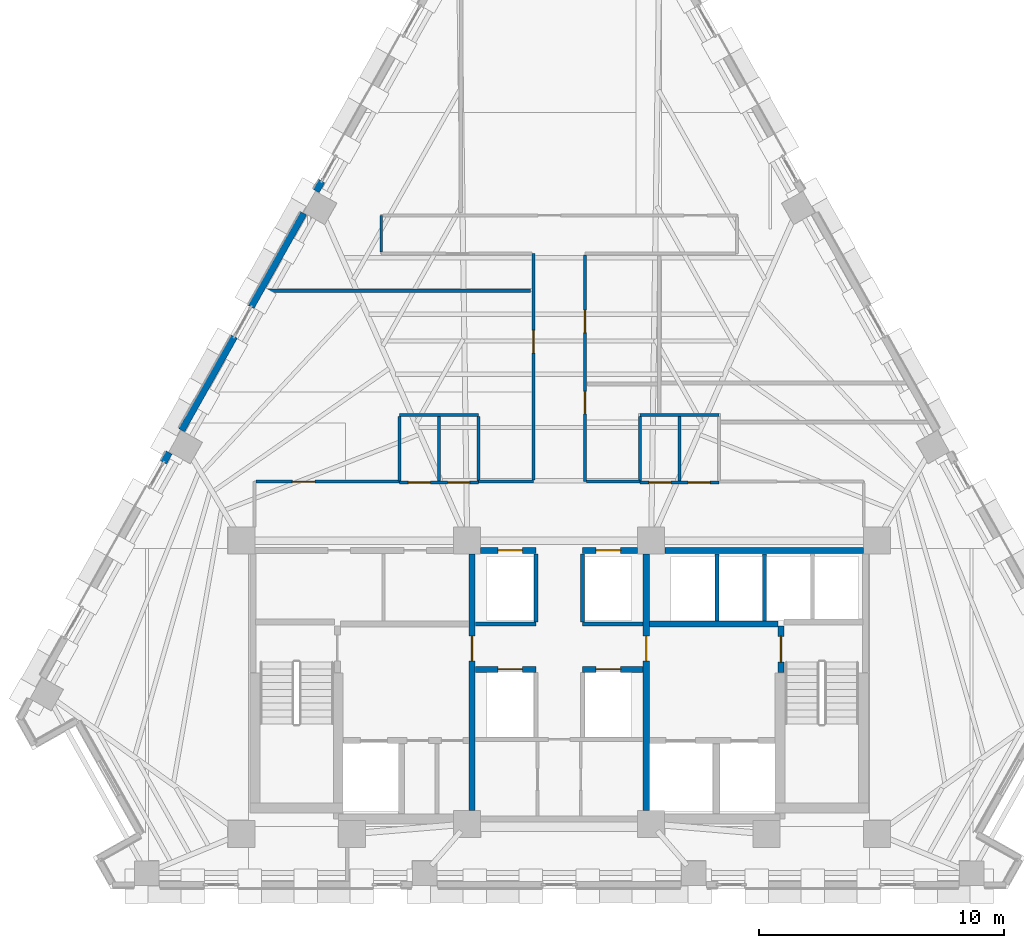
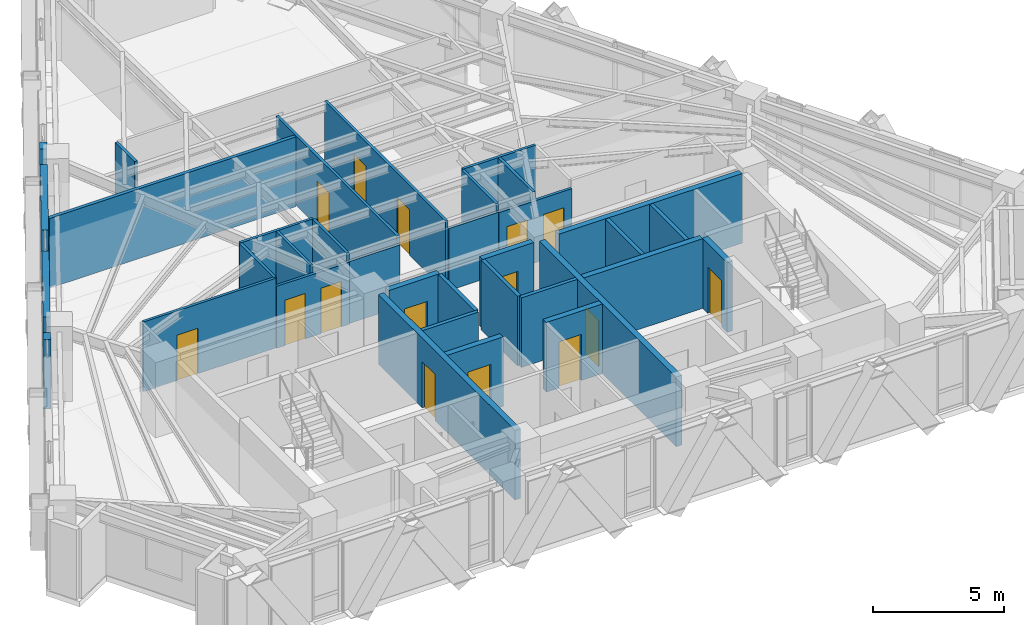
# One storey, part 8 of 14: 35 walls, 15 doors, 15 openings.
"""IFC4 building model written with IfcOpenShell, lengths in metres."""

from ifc_helpers import new_model, si_unit, direction, frame, frame_2d, origin, place, context, subcontext, project, spatial, rectangle, extrude, material, layer, layer_set, type_object, element, fill, save


model = new_model("IFC4")

# Units and contexts
model_context = context("Model", 3, precision=1e-05, world=origin(), true_north=direction((0.0, 1.0)))
body_context = subcontext(model_context, "Body", "Model", "MODEL_VIEW")
ifc_project = project(units=[si_unit("LENGTHUNIT", "METRE"), si_unit("AREAUNIT", "SQUARE_METRE"), si_unit("VOLUMEUNIT", "CUBIC_METRE"), si_unit("PLANEANGLEUNIT", "RADIAN"), si_unit("MASSUNIT", "GRAM", prefix="KILO")], contexts=[model_context])

# Site, building, storey
site_placement = place(None, origin())
site = spatial("IfcSite", under=ifc_project, at=site_placement, CompositionType="ELEMENT")
building_placement = place(site_placement, origin())
building = spatial("IfcBuilding", under=site, at=building_placement, Name="Quenlor Broadcast Tower", CompositionType="ELEMENT")
storey_placement = place(building_placement, frame((0.0, 0.0, 168.5)))
storey = spatial("IfcBuildingStorey", under=building, at=storey_placement, Name="L46", CompositionType="ELEMENT", Elevation=168.5)

# Wall
ifc_material_1 = material(Name="Acoustic Double Stud Gypsum Partition", Category="other")
ifc_layer_1 = layer(ifc_material_1, 0.14990234375)
ifc_layer_set_1 = layer_set([ifc_layer_1], Name="Broadcast Studio Acoustic Partition 150")
wall_type_1 = type_object("IfcWallType", Name="Broadcast Studio Acoustic Partition 150", PredefinedType="PARTITIONING", material=ifc_layer_set_1)
wall_1_placement = place(storey_placement, frame((-1.159912109375, 5.3798828125, 0.0), z_axis=(0.0, 0.0, 1.0), x_axis=(-1.0, 0.0, 0.0)))
element("IfcWall", 1, at=wall_1_placement, inside=storey, type_object=wall_type_1, Name="L46 Interior Wall PW-DV-02", PredefinedType="PARTITIONING", context=body_context, shape_type="SweptSolid", body=[
    extrude(rectangle(XDim=10.862548828125, YDim=0.14990234375, at=frame_2d((5.43115234375, 0.0))), origin(), (0.0, 0.0, 1.0), 3.25),
])

# Wall, opening, door
ifc_material_2 = material(Name="Concrete C40/50", Category="concrete")
ifc_layer_2 = layer(ifc_material_2, 0.25)
ifc_layer_set_2 = layer_set([ifc_layer_2], Name="Fire Rated Concrete C40/50 Core Wall 250")
wall_type_2 = type_object("IfcWallType", Name="Fire Rated Concrete C40/50 Core Wall 250", PredefinedType="PARTITIONING", material=ifc_layer_set_2)
wall_2_placement = place(storey_placement, frame((9.0400390625, -10.179931640625, 0.0), z_axis=(0.0, 0.0, 1.0), x_axis=(0.0, 1.0, 0.0)))
wall_2 = element("IfcWall", 2, at=wall_2_placement, inside=storey, type_object=wall_type_2, Name="L46 Interior Wall CW-ST2-DR", PredefinedType="PARTITIONING", context=body_context, shape_type="SweptSolid", body=[
    extrude(rectangle(XDim=1.89990234375, YDim=0.25, at=frame_2d((0.949951171875, 0.0))), origin(), (0.0, 0.0, 1.0), 3.25),
])
opening_1_placement = place(wall_2_placement, frame((0.419921875, 0.0, 0.0)))
opening_1 = element("IfcOpeningElement", 3, at=opening_1_placement, cuts=wall_2, Name="Opening FD-1", PredefinedType="OPENING", context=body_context, shape_type="SweptSolid", body=[
    extrude(rectangle(XDim=1.050048828125, YDim=2.14990234375, at=frame_2d((0.52490234375, 1.074951171875))), frame((0.0, 0.135009765625, 0.0), z_axis=(0.0, -1.0, 0.0), x_axis=(1.0, 0.0, 0.0)), (0.0, 0.0, 1.0), 0.27001953125),
])
ifc_material_3 = material(Name="Fire Rated Steel Door Leaf", Category="steel")
door_type_1 = type_object("IfcDoorType", Name="Fire Isolated Stair Door 1050x2150", OperationType="NOTDEFINED", PredefinedType="DOOR", material=ifc_material_3)
door_1_placement = place(opening_1_placement, origin())
door_1 = element("IfcDoor", 4, at=door_1_placement, inside=storey, type_object=door_type_1, Name="L46 Door DR-ST2", OperationType="SINGLE_SWING_RIGHT", OverallHeight=2.14990234375, OverallWidth=1.050048828125, PredefinedType="DOOR", context=body_context, shape_type="SweptSolid", body=[
    extrude(rectangle(XDim=1.050048828125, YDim=2.14990234375, at=frame_2d((0.52490234375, 1.074951171875))), frame((0.0, 0.02490234375, 0.0), z_axis=(0.0, -1.0, 0.0), x_axis=(1.0, 0.0, 0.0)), (0.0, 0.0, 1.0), 0.050048828125),
])
fill(opening_1, door_1)

# Wall
wall_3_placement = place(storey_placement, frame((3.679931640625, -8.199951171875, 0.0), z_axis=(0.0, 0.0, 1.0), x_axis=(1.0, 0.0, 0.0)))
element("IfcWall", 5, at=wall_3_placement, inside=storey, type_object=wall_type_2, Name="L46 Interior Wall CW-FFE-N", PredefinedType="PARTITIONING", context=body_context, shape_type="SweptSolid", body=[
    extrude(rectangle(XDim=5.239990234375, YDim=0.25, at=frame_2d((2.6201171875, 0.0))), origin(), (0.0, 0.0, 1.0), 3.25),
])

# Wall, opening, door
wall_4_placement = place(storey_placement, frame((-3.550048828125, -15.798095703125, 0.0), z_axis=(0.0, 0.0, 1.0), x_axis=(0.0, 1.0, 0.0)))
wall_4 = element("IfcWall", 6, at=wall_4_placement, inside=storey, type_object=wall_type_2, Name="L46 Interior Wall CW-FFW-E", PredefinedType="PARTITIONING", context=body_context, shape_type="SweptSolid", body=[
    extrude(rectangle(XDim=10.446044921875, YDim=0.25, at=frame_2d((5.22314453125, 0.0))), origin(), (0.0, 0.0, 1.0), 3.25),
])
opening_2_placement = place(wall_4_placement, frame((6.097900390625, 0.0, 0.0)))
opening_2 = element("IfcOpeningElement", 7, at=opening_2_placement, cuts=wall_4, Name="Opening FD-2", PredefinedType="OPENING", context=body_context, shape_type="SweptSolid", body=[
    extrude(rectangle(XDim=1.0, YDim=2.14990234375, at=frame_2d((0.5, 1.074951171875))), frame((0.0, 0.135009765625, 0.0), z_axis=(0.0, -1.0, 0.0), x_axis=(1.0, 0.0, 0.0)), (0.0, 0.0, 1.0), 0.27001953125),
])
ifc_material_4 = material(Name="Fire Rated Glazed Steel Door", Category="steel")
door_type_2 = type_object("IfcDoorType", Name="Firefighting Lobby Smoke Door 1000x2150", OperationType="NOTDEFINED", PredefinedType="DOOR", material=ifc_material_4)
door_2_placement = place(opening_2_placement, origin())
door_2 = element("IfcDoor", 8, at=door_2_placement, inside=storey, type_object=door_type_2, Name="L46 Door DR-FFLW", OperationType="SINGLE_SWING_RIGHT", OverallHeight=2.14990234375, OverallWidth=1.0, PredefinedType="DOOR", context=body_context, shape_type="SweptSolid", body=[
    extrude(rectangle(XDim=1.0, YDim=2.14990234375, at=frame_2d((0.5, 1.074951171875))), frame((0.0, 0.02490234375, 0.0), z_axis=(0.0, -1.0, 0.0), x_axis=(1.0, 0.0, 0.0)), (0.0, 0.0, 1.0), 0.050048828125),
])
fill(opening_2, door_2)

wall_5_placement = place(storey_placement, frame((3.550048828125, -15.798095703125, 0.0), z_axis=(0.0, 0.0, 1.0), x_axis=(0.0, 1.0, 0.0)))
wall_5 = element("IfcWall", 9, at=wall_5_placement, inside=storey, type_object=wall_type_2, Name="L46 Interior Wall CW-FFE-W", PredefinedType="PARTITIONING", context=body_context, shape_type="SweptSolid", body=[
    extrude(rectangle(XDim=10.446044921875, YDim=0.25, at=frame_2d((5.22314453125, 0.0))), origin(), (0.0, 0.0, 1.0), 3.25),
])
opening_3_placement = place(wall_5_placement, frame((6.097900390625, 0.0, 0.0)))
opening_3 = element("IfcOpeningElement", 10, at=opening_3_placement, cuts=wall_5, Name="Opening FD-2", PredefinedType="OPENING", context=body_context, shape_type="SweptSolid", body=[
    extrude(rectangle(XDim=1.0, YDim=2.14990234375, at=frame_2d((0.5, 1.074951171875))), frame((0.0, 0.135009765625, 0.0), z_axis=(0.0, -1.0, 0.0), x_axis=(1.0, 0.0, 0.0)), (0.0, 0.0, 1.0), 0.27001953125),
])
door_3_placement = place(opening_3_placement, origin())
door_3 = element("IfcDoor", 11, at=door_3_placement, inside=storey, type_object=door_type_2, Name="L46 Door DR-FFLE", OperationType="SINGLE_SWING_LEFT", OverallHeight=2.14990234375, OverallWidth=1.0, PredefinedType="DOOR", context=body_context, shape_type="SweptSolid", body=[
    extrude(rectangle(XDim=1.0, YDim=2.14990234375, at=frame_2d((0.5, 1.074951171875))), frame((0.0, 0.02490234375, 0.0), z_axis=(0.0, -1.0, 0.0), x_axis=(1.0, 0.0, 0.0)), (0.0, 0.0, 1.0), 0.050048828125),
])
fill(opening_3, door_3)

# Wall
wall_6_placement = place(storey_placement, frame((4.302001953125, -5.199951171875, 0.0), z_axis=(0.0, 0.0, 1.0), x_axis=(1.0, 0.0, 0.0)))
element("IfcWall", 12, at=wall_6_placement, inside=storey, type_object=wall_type_2, Name="L46 Interior Wall CW-N-E", PredefinedType="PARTITIONING", context=body_context, shape_type="SweptSolid", body=[
    extrude(rectangle(XDim=8.095947265625, YDim=0.25, at=frame_2d((4.0478515625, 0.0))), origin(), (0.0, 0.0, 1.0), 3.25),
])

# Wall, opening, door
wall_7_placement = place(storey_placement, frame((-3.197998046875, -5.199951171875, 0.0), z_axis=(0.0, 0.0, 1.0), x_axis=(1.0, 0.0, 0.0)))
wall_7 = element("IfcWall", 13, at=wall_7_placement, inside=storey, type_object=wall_type_2, Name="L46 Interior Wall CW-N-M1", PredefinedType="PARTITIONING", context=body_context, shape_type="SweptSolid", body=[
    extrude(rectangle(XDim=2.248046875, YDim=0.25, at=frame_2d((1.1240234375, 0.0))), origin(), (0.0, 0.0, 1.0), 3.25),
])
opening_4_placement = place(wall_7_placement, frame((0.697998046875, 0.0, 0.0)))
opening_4 = element("IfcOpeningElement", 14, at=opening_4_placement, cuts=wall_7, Name="Opening LD-PL-M1", PredefinedType="OPENING", context=body_context, shape_type="SweptSolid", body=[
    extrude(rectangle(XDim=1.0, YDim=2.14990234375, at=frame_2d((0.5, 1.074951171875))), frame((0.0, 0.135009765625, 0.0), z_axis=(0.0, -1.0, 0.0), x_axis=(1.0, 0.0, 0.0)), (0.0, 0.0, 1.0), 0.27001953125),
])
ifc_material_5 = material(Name="Brushed Stainless Steel", Category="steel")
door_type_3 = type_object("IfcDoorType", Name="Passenger Lift Sliding Landing Door 1000x2150", OperationType="NOTDEFINED", PredefinedType="DOOR", material=ifc_material_5)
door_4_placement = place(opening_4_placement, origin())
door_4 = element("IfcDoor", 15, at=door_4_placement, inside=storey, type_object=door_type_3, Name="L46 Door LD-PL-M1", OperationType="SLIDING_TO_LEFT", OverallHeight=2.14990234375, OverallWidth=1.0, PredefinedType="DOOR", context=body_context, shape_type="SweptSolid", body=[
    extrude(rectangle(XDim=1.0, YDim=2.14990234375, at=frame_2d((0.5, 1.074951171875))), frame((0.0, 0.02490234375, 0.0), z_axis=(0.0, -1.0, 0.0), x_axis=(1.0, 0.0, 0.0)), (0.0, 0.0, 1.0), 0.050048828125),
])
fill(opening_4, door_4)

wall_8_placement = place(storey_placement, frame((0.949951171875, -5.199951171875, 0.0), z_axis=(0.0, 0.0, 1.0), x_axis=(1.0, 0.0, 0.0)))
wall_8 = element("IfcWall", 16, at=wall_8_placement, inside=storey, type_object=wall_type_2, Name="L46 Interior Wall CW-N-M2", PredefinedType="PARTITIONING", context=body_context, shape_type="SweptSolid", body=[
    extrude(rectangle(XDim=2.248046875, YDim=0.25, at=frame_2d((1.1240234375, 0.0))), origin(), (0.0, 0.0, 1.0), 3.25),
])
opening_5_placement = place(wall_8_placement, frame((0.550048828125, 0.0, 0.0)))
opening_5 = element("IfcOpeningElement", 17, at=opening_5_placement, cuts=wall_8, Name="Opening LD-PL-M2", PredefinedType="OPENING", context=body_context, shape_type="SweptSolid", body=[
    extrude(rectangle(XDim=1.0, YDim=2.14990234375, at=frame_2d((0.5, 1.074951171875))), frame((0.0, 0.135009765625, 0.0), z_axis=(0.0, -1.0, 0.0), x_axis=(1.0, 0.0, 0.0)), (0.0, 0.0, 1.0), 0.27001953125),
])
door_5_placement = place(opening_5_placement, origin())
door_5 = element("IfcDoor", 18, at=door_5_placement, inside=storey, type_object=door_type_3, Name="L46 Door LD-PL-M2", OperationType="SLIDING_TO_RIGHT", OverallHeight=2.14990234375, OverallWidth=1.0, PredefinedType="DOOR", context=body_context, shape_type="SweptSolid", body=[
    extrude(rectangle(XDim=1.0, YDim=2.14990234375, at=frame_2d((0.5, 1.074951171875))), frame((0.0, 0.02490234375, 0.0), z_axis=(0.0, -1.0, 0.0), x_axis=(1.0, 0.0, 0.0)), (0.0, 0.0, 1.0), 0.050048828125),
])
fill(opening_5, door_5)

wall_9_placement = place(storey_placement, frame((-3.419921875, -10.050048828125, 0.0), z_axis=(0.0, 0.0, 1.0), x_axis=(1.0, 0.0, 0.0)))
wall_9 = element("IfcWall", 19, at=wall_9_placement, inside=storey, type_object=wall_type_2, Name="L46 Interior Wall CW-MS-N1", PredefinedType="PARTITIONING", context=body_context, shape_type="SweptSolid", body=[
    extrude(rectangle(XDim=2.469970703125, YDim=0.25, at=frame_2d((1.23486328125, 0.0))), origin(), (0.0, 0.0, 1.0), 3.25),
])
opening_6_placement = place(wall_9_placement, frame((0.919921875, 0.0, 0.0)))
opening_6 = element("IfcOpeningElement", 20, at=opening_6_placement, cuts=wall_9, Name="Opening LD-PL-M3", PredefinedType="OPENING", context=body_context, shape_type="SweptSolid", body=[
    extrude(rectangle(XDim=1.0, YDim=2.14990234375, at=frame_2d((0.5, 1.074951171875))), frame((0.0, 0.135009765625, 0.0), z_axis=(0.0, -1.0, 0.0), x_axis=(1.0, 0.0, 0.0)), (0.0, 0.0, 1.0), 0.27001953125),
])
door_6_placement = place(opening_6_placement, origin())
door_6 = element("IfcDoor", 21, at=door_6_placement, inside=storey, type_object=door_type_3, Name="L46 Door LD-PL-M3", OperationType="SLIDING_TO_LEFT", OverallHeight=2.14990234375, OverallWidth=1.0, PredefinedType="DOOR", context=body_context, shape_type="SweptSolid", body=[
    extrude(rectangle(XDim=1.0, YDim=2.14990234375, at=frame_2d((0.5, 1.074951171875))), frame((0.0, 0.02490234375, 0.0), z_axis=(0.0, -1.0, 0.0), x_axis=(1.0, 0.0, 0.0)), (0.0, 0.0, 1.0), 0.050048828125),
])
fill(opening_6, door_6)

wall_10_placement = place(storey_placement, frame((0.949951171875, -10.050048828125, 0.0), z_axis=(0.0, 0.0, 1.0), x_axis=(1.0, 0.0, 0.0)))
wall_10 = element("IfcWall", 22, at=wall_10_placement, inside=storey, type_object=wall_type_2, Name="L46 Interior Wall CW-MS-N2", PredefinedType="PARTITIONING", context=body_context, shape_type="SweptSolid", body=[
    extrude(rectangle(XDim=2.469970703125, YDim=0.25, at=frame_2d((1.23486328125, 0.0))), origin(), (0.0, 0.0, 1.0), 3.25),
])
opening_7_placement = place(wall_10_placement, frame((0.550048828125, 0.0, 0.0)))
opening_7 = element("IfcOpeningElement", 23, at=opening_7_placement, cuts=wall_10, Name="Opening LD-PL-M4", PredefinedType="OPENING", context=body_context, shape_type="SweptSolid", body=[
    extrude(rectangle(XDim=1.0, YDim=2.14990234375, at=frame_2d((0.5, 1.074951171875))), frame((0.0, 0.135009765625, 0.0), z_axis=(0.0, -1.0, 0.0), x_axis=(1.0, 0.0, 0.0)), (0.0, 0.0, 1.0), 0.27001953125),
])
door_7_placement = place(opening_7_placement, origin())
door_7 = element("IfcDoor", 24, at=door_7_placement, inside=storey, type_object=door_type_3, Name="L46 Door LD-PL-M4", OperationType="SLIDING_TO_RIGHT", OverallHeight=2.14990234375, OverallWidth=1.0, PredefinedType="DOOR", context=body_context, shape_type="SweptSolid", body=[
    extrude(rectangle(XDim=1.0, YDim=2.14990234375, at=frame_2d((0.5, 1.074951171875))), frame((0.0, 0.02490234375, 0.0), z_axis=(0.0, -1.0, 0.0), x_axis=(1.0, 0.0, 0.0)), (0.0, 0.0, 1.0), 0.050048828125),
])
fill(opening_7, door_7)

# Walls
ifc_material_6 = material(Name="Gypsum Fireboard Partition", Category="other")
ifc_layer_3 = layer(ifc_material_6, 0.159912109375)
ifc_layer_set_3 = layer_set([ifc_layer_3], Name="Fire Rated Shaft and Corridor Partition 160")
wall_type_3 = type_object("IfcWallType", Name="Fire Rated Shaft and Corridor Partition 160", PredefinedType="PARTITIONING", material=ifc_layer_set_3)
for number, where, z_axis, x_axis, name in (
    (25, (6.425048828125, -8.072998046875, 0.0), (0.0, 0.0, 1.0), (0.0, 1.0, 0.0), "L46 Interior Wall CW-PLH-D1"),
    (26, (8.375, -8.072998046875, 0.0), (0.0, 0.0, 1.0), (0.0, 1.0, 0.0), "L46 Interior Wall CW-PLH-D2"),
):
    element("IfcWall", number, at=place(storey_placement, frame(where, z_axis=z_axis, x_axis=x_axis)), inside=storey, type_object=wall_type_3, Name=name, PredefinedType="PARTITIONING", context=body_context, shape_type="SweptSolid", body=[
        extrude(rectangle(XDim=2.73291015625, YDim=0.159912109375, at=frame_2d((1.366455078125, 0.0))), origin(), (0.0, 0.0, 1.0), 3.25),
    ])
for number, where, z_axis, x_axis, name in (
    (27, (-0.949951171875, -8.1201171875, 0.0), (0.0, 0.0, 1.0), (0.0, 1.0, 0.0), "L46 Interior Wall CW-CCRP-W"),
    (28, (0.949951171875, -8.1201171875, 0.0), (0.0, 0.0, 1.0), (0.0, 1.0, 0.0), "L46 Interior Wall CW-CCRP-E"),
):
    element("IfcWall", number, at=place(storey_placement, frame(where, z_axis=z_axis, x_axis=x_axis)), inside=storey, type_object=wall_type_3, Name=name, PredefinedType="PARTITIONING", context=body_context, shape_type="SweptSolid", body=[
        extrude(rectangle(XDim=2.780029296875, YDim=0.159912109375, at=frame_2d((1.39013671875, 0.0))), origin(), (0.0, 0.0, 1.0), 3.25),
    ])
for number, where, z_axis, x_axis, name in (
    (29, (-3.419921875, -8.199951171875, 0.0), (0.0, 0.0, 1.0), (1.0, 0.0, 0.0), "L46 Interior Wall CW-M-BACK1"),
    (30, (0.949951171875, -8.199951171875, 0.0), (0.0, 0.0, 1.0), (1.0, 0.0, 0.0), "L46 Interior Wall CW-M-BACK2"),
):
    element("IfcWall", number, at=place(storey_placement, frame(where, z_axis=z_axis, x_axis=x_axis)), inside=storey, type_object=wall_type_3, Name=name, PredefinedType="PARTITIONING", context=body_context, shape_type="SweptSolid", body=[
        extrude(rectangle(XDim=2.469970703125, YDim=0.159912109375, at=frame_2d((1.23486328125, 0.0))), origin(), (0.0, 0.0, 1.0), 3.25),
    ])

# Wall, openings, doors
ifc_material_7 = material(Name="Gypsum Plasterboard Partition", Category="other")
ifc_layer_4 = layer(ifc_material_7, 0.1201171875)
ifc_layer_set_4 = layer_set([ifc_layer_4], Name="Standard Office Partition 120")
wall_type_4 = type_object("IfcWallType", Name="Standard Office Partition 120", PredefinedType="PARTITIONING", material=ifc_layer_set_4)
wall_11_placement = place(storey_placement, frame((-6.510009765625, -2.43994140625, 0.0), z_axis=(0.0, 0.0, 1.0), x_axis=(1.0, 0.0, 0.0)))
wall_11 = element("IfcWall", 31, at=wall_11_placement, inside=storey, type_object=wall_type_4, Name="L46 Interior Wall PW-WCW-S", PredefinedType="PARTITIONING", context=body_context, shape_type="SweptSolid", body=[
    extrude(rectangle(XDim=3.219970703125, YDim=0.1201171875, at=frame_2d((1.60986328125, 0.0))), origin(), (0.0, 0.0, 1.0), 2.891357421875),
])
opening_8_placement = place(wall_11_placement, frame((0.360107421875, 0.0, 0.0)))
opening_8 = element("IfcOpeningElement", 32, at=opening_8_placement, cuts=wall_11, Name="Opening ID-3", PredefinedType="OPENING", context=body_context, shape_type="SweptSolid", body=[
    extrude(rectangle(XDim=0.89990234375, YDim=2.1201171875, at=frame_2d((0.449951171875, 1.06005859375))), frame((0.0, 0.070068359375, 0.0), z_axis=(0.0, -1.0, 0.0), x_axis=(1.0, 0.0, 0.0)), (0.0, 0.0, 1.0), 0.14013671875),
])
opening_9_placement = place(wall_11_placement, frame((1.9599609375, 0.0, 0.0)))
opening_9 = element("IfcOpeningElement", 33, at=opening_9_placement, cuts=wall_11, Name="Opening ID-3", PredefinedType="OPENING", context=body_context, shape_type="SweptSolid", body=[
    extrude(rectangle(XDim=0.89990234375, YDim=2.1201171875, at=frame_2d((0.449951171875, 1.06005859375))), frame((0.0, 0.070068359375, 0.0), z_axis=(0.0, -1.0, 0.0), x_axis=(1.0, 0.0, 0.0)), (0.0, 0.0, 1.0), 0.14013671875),
])
ifc_material_8 = material(Name="Moisture Resistant Timber Oak", Category="wood")
door_type_4 = type_object("IfcDoorType", Name="Washroom Privacy Door 900x2120", OperationType="NOTDEFINED", PredefinedType="DOOR", material=ifc_material_8)
door_8_placement = place(opening_8_placement, origin())
door_8 = element("IfcDoor", 34, at=door_8_placement, inside=storey, type_object=door_type_4, Name="L46 Door DR-AWC", OperationType="SINGLE_SWING_LEFT", OverallHeight=2.1201171875, OverallWidth=0.89990234375, PredefinedType="DOOR", context=body_context, shape_type="SweptSolid", body=[
    extrude(rectangle(XDim=0.89990234375, YDim=2.1201171875, at=frame_2d((0.449951171875, 1.06005859375))), frame((0.0, 0.02490234375, 0.0), z_axis=(0.0, -1.0, 0.0), x_axis=(1.0, 0.0, 0.0)), (0.0, 0.0, 1.0), 0.050048828125),
])
fill(opening_8, door_8)
door_9_placement = place(opening_9_placement, origin())
door_9 = element("IfcDoor", 35, at=door_9_placement, inside=storey, type_object=door_type_4, Name="L46 Door DR-SHW", OperationType="SINGLE_SWING_RIGHT", OverallHeight=2.1201171875, OverallWidth=0.89990234375, PredefinedType="DOOR", context=body_context, shape_type="SweptSolid", body=[
    extrude(rectangle(XDim=0.89990234375, YDim=2.1201171875, at=frame_2d((0.449951171875, 1.06005859375))), frame((0.0, 0.02490234375, 0.0), z_axis=(0.0, -1.0, 0.0), x_axis=(1.0, 0.0, 0.0)), (0.0, 0.0, 1.0), 0.050048828125),
])
fill(opening_9, door_9)

# Walls
wall_12_placement = place(storey_placement, frame((-6.510009765625, 0.31005859375, 0.0), z_axis=(0.0, 0.0, 1.0), x_axis=(1.0, 0.0, 0.0)))
element("IfcWall", 36, at=wall_12_placement, inside=storey, type_object=wall_type_4, Name="L46 Interior Wall PW-WCW-N", PredefinedType="PARTITIONING", context=body_context, shape_type="SweptSolid", body=[
    extrude(rectangle(XDim=3.219970703125, YDim=0.1201171875, at=frame_2d((1.60986328125, 0.0))), origin(), (0.0, 0.0, 1.0), 3.25),
])
for number, where, z_axis, x_axis, name in (
    (37, (-6.510009765625, -2.3779296875, 0.0), (0.0, 0.0, 1.0), (0.0, 1.0, 0.0), "L46 Interior Wall PW-WCW-W"),
    (38, (-4.89990234375, -2.3779296875, 0.0), (0.0, 0.0, 1.0), (0.0, 1.0, 0.0), "L46 Interior Wall PW-WCW-M"),
    (39, (-3.2900390625, -2.3779296875, 0.0), (0.0, 0.0, 1.0), (0.0, 1.0, 0.0), "L46 Interior Wall PW-WCW-E"),
):
    element("IfcWall", number, at=place(storey_placement, frame(where, z_axis=z_axis, x_axis=x_axis)), inside=storey, type_object=wall_type_4, Name=name, PredefinedType="PARTITIONING", context=body_context, shape_type="SweptSolid", body=[
        extrude(rectangle(XDim=2.6259765625, YDim=0.1201171875, at=frame_2d((1.31298828125, 0.0))), origin(), (0.0, 0.0, 1.0), 3.25),
    ])

# Wall, openings, doors
wall_13_placement = place(storey_placement, frame((3.2900390625, -2.43994140625, 0.0), z_axis=(0.0, 0.0, 1.0), x_axis=(1.0, 0.0, 0.0)))
wall_13 = element("IfcWall", 40, at=wall_13_placement, inside=storey, type_object=wall_type_4, Name="L46 Interior Wall PW-WCE-S", PredefinedType="PARTITIONING", context=body_context, shape_type="SweptSolid", body=[
    extrude(rectangle(XDim=3.219970703125, YDim=0.1201171875, at=frame_2d((1.60986328125, 0.0))), origin(), (0.0, 0.0, 1.0), 2.891357421875),
])
opening_10_placement = place(wall_13_placement, frame((0.360107421875, 0.0, 0.0)))
opening_10 = element("IfcOpeningElement", 41, at=opening_10_placement, cuts=wall_13, Name="Opening ID-3", PredefinedType="OPENING", context=body_context, shape_type="SweptSolid", body=[
    extrude(rectangle(XDim=0.89990234375, YDim=2.1201171875, at=frame_2d((0.449951171875, 1.06005859375))), frame((0.0, 0.070068359375, 0.0), z_axis=(0.0, -1.0, 0.0), x_axis=(1.0, 0.0, 0.0)), (0.0, 0.0, 1.0), 0.14013671875),
])
opening_11_placement = place(wall_13_placement, frame((1.9599609375, 0.0, 0.0)))
opening_11 = element("IfcOpeningElement", 42, at=opening_11_placement, cuts=wall_13, Name="Opening ID-3", PredefinedType="OPENING", context=body_context, shape_type="SweptSolid", body=[
    extrude(rectangle(XDim=0.89990234375, YDim=2.1201171875, at=frame_2d((0.449951171875, 1.06005859375))), frame((0.0, 0.070068359375, 0.0), z_axis=(0.0, -1.0, 0.0), x_axis=(1.0, 0.0, 0.0)), (0.0, 0.0, 1.0), 0.14013671875),
])
door_10_placement = place(opening_10_placement, origin())
door_10 = element("IfcDoor", 43, at=door_10_placement, inside=storey, type_object=door_type_4, Name="L46 Door DR-MWC", OperationType="SINGLE_SWING_LEFT", OverallHeight=2.1201171875, OverallWidth=0.89990234375, PredefinedType="DOOR", context=body_context, shape_type="SweptSolid", body=[
    extrude(rectangle(XDim=0.89990234375, YDim=2.1201171875, at=frame_2d((0.449951171875, 1.06005859375))), frame((0.0, 0.02490234375, 0.0), z_axis=(0.0, -1.0, 0.0), x_axis=(1.0, 0.0, 0.0)), (0.0, 0.0, 1.0), 0.050048828125),
])
fill(opening_10, door_10)
door_11_placement = place(opening_11_placement, origin())
door_11 = element("IfcDoor", 44, at=door_11_placement, inside=storey, type_object=door_type_4, Name="L46 Door DR-FWC", OperationType="SINGLE_SWING_RIGHT", OverallHeight=2.1201171875, OverallWidth=0.89990234375, PredefinedType="DOOR", context=body_context, shape_type="SweptSolid", body=[
    extrude(rectangle(XDim=0.89990234375, YDim=2.1201171875, at=frame_2d((0.449951171875, 1.06005859375))), frame((0.0, 0.02490234375, 0.0), z_axis=(0.0, -1.0, 0.0), x_axis=(1.0, 0.0, 0.0)), (0.0, 0.0, 1.0), 0.050048828125),
])
fill(opening_11, door_11)

# Walls
wall_14_placement = place(storey_placement, frame((3.2900390625, 0.31005859375, 0.0), z_axis=(0.0, 0.0, 1.0), x_axis=(1.0, 0.0, 0.0)))
element("IfcWall", 45, at=wall_14_placement, inside=storey, type_object=wall_type_4, Name="L46 Interior Wall PW-WCE-N", PredefinedType="PARTITIONING", context=body_context, shape_type="SweptSolid", body=[
    extrude(rectangle(XDim=3.219970703125, YDim=0.1201171875, at=frame_2d((1.60986328125, 0.0))), origin(), (0.0, 0.0, 1.0), 3.25),
])
for number, where, z_axis, x_axis, name in (
    (46, (3.2900390625, -2.3779296875, 0.0), (0.0, 0.0, 1.0), (0.0, 1.0, 0.0), "L46 Interior Wall PW-WCE-W"),
    (47, (4.89990234375, -2.3779296875, 0.0), (0.0, 0.0, 1.0), (0.0, 1.0, 0.0), "L46 Interior Wall PW-WCE-M"),
):
    element("IfcWall", number, at=place(storey_placement, frame(where, z_axis=z_axis, x_axis=x_axis)), inside=storey, type_object=wall_type_4, Name=name, PredefinedType="PARTITIONING", context=body_context, shape_type="SweptSolid", body=[
        extrude(rectangle(XDim=2.6259765625, YDim=0.1201171875, at=frame_2d((1.31298828125, 0.0))), origin(), (0.0, 0.0, 1.0), 3.25),
    ])

# Wall, opening, door
wall_15_placement = place(storey_placement, frame((-12.347900390625, -2.39990234375, 0.0), z_axis=(0.0, 0.0, 1.0), x_axis=(1.0, 0.0, 0.0)))
wall_15 = element("IfcWall", 48, at=wall_15_placement, inside=storey, type_object=wall_type_4, Name="L46 Interior Wall PW-CR-02", PredefinedType="PARTITIONING", context=body_context, shape_type="SweptSolid", body=[
    extrude(rectangle(XDim=5.8359375, YDim=0.1201171875, at=frame_2d((2.91796875, 0.0))), origin(), (0.0, 0.0, 1.0), 3.25),
])
opening_12_placement = place(wall_15_placement, frame((1.47509765625, 0.0, 0.0)))
opening_12 = element("IfcOpeningElement", 49, at=opening_12_placement, cuts=wall_15, Name="Opening ID-1", PredefinedType="OPENING", context=body_context, shape_type="SweptSolid", body=[
    extrude(rectangle(XDim=0.919921875, YDim=2.1201171875, at=frame_2d((0.4599609375, 1.06005859375))), frame((0.0, 0.070068359375, 0.0), z_axis=(0.0, -1.0, 0.0), x_axis=(1.0, 0.0, 0.0)), (0.0, 0.0, 1.0), 0.14013671875),
])
ifc_material_9 = material(Name="Solid Core Timber Oak", Category="wood")
door_type_5 = type_object("IfcDoorType", Name="Single Leaf Timber Office Door 920x2120", OperationType="NOTDEFINED", PredefinedType="DOOR", material=ifc_material_9)
door_12_placement = place(opening_12_placement, origin())
door_12 = element("IfcDoor", 50, at=door_12_placement, inside=storey, type_object=door_type_5, Name="L46 Door DR-RM07", OperationType="SINGLE_SWING_RIGHT", OverallHeight=2.1201171875, OverallWidth=0.919921875, PredefinedType="DOOR", context=body_context, shape_type="SweptSolid", body=[
    extrude(rectangle(XDim=0.919921875, YDim=2.1201171875, at=frame_2d((0.4599609375, 1.06005859375))), frame((0.0, 0.02490234375, 0.0), z_axis=(0.0, -1.0, 0.0), x_axis=(1.0, 0.0, 0.0)), (0.0, 0.0, 1.0), 0.050048828125),
])
fill(opening_12, door_12)

# Wall
wall_16_placement = place(storey_placement, frame((-3.2880859375, -2.39990234375, 0.0), z_axis=(0.0, 0.0, 1.0), x_axis=(1.0, 0.0, 0.0)))
element("IfcWall", 51, at=wall_16_placement, inside=storey, type_object=wall_type_4, Name="L46 Interior Wall PW-CR-02S2", PredefinedType="PARTITIONING", context=body_context, shape_type="SweptSolid", body=[
    extrude(rectangle(XDim=2.238037109375, YDim=0.1201171875, at=frame_2d((1.119140625, 0.0))), origin(), (0.0, 0.0, 1.0), 2.891357421875),
])

# Wall, opening, door
wall_17_placement = place(storey_placement, frame((-1.050048828125, -2.337890625, 0.0), z_axis=(0.0, 0.0, 1.0), x_axis=(0.0, 1.0, 0.0)))
wall_17 = element("IfcWall", 52, at=wall_17_placement, inside=storey, type_object=wall_type_4, Name="L46 Interior Wall PW-CR-03", PredefinedType="PARTITIONING", context=body_context, shape_type="SweptSolid", body=[
    extrude(rectangle(XDim=9.23779296875, YDim=0.1201171875, at=frame_2d((4.618896484375, 0.0))), origin(), (0.0, 0.0, 1.0), 3.25),
])
opening_13_placement = place(wall_17_placement, frame((5.177978515625, 0.0, 0.0)))
opening_13 = element("IfcOpeningElement", 53, at=opening_13_placement, cuts=wall_17, Name="Opening ID-1", PredefinedType="OPENING", context=body_context, shape_type="SweptSolid", body=[
    extrude(rectangle(XDim=0.919921875, YDim=2.1201171875, at=frame_2d((0.4599609375, 1.06005859375))), frame((0.0, 0.070068359375, 0.0), z_axis=(0.0, -1.0, 0.0), x_axis=(1.0, 0.0, 0.0)), (0.0, 0.0, 1.0), 0.14013671875),
])
door_13_placement = place(opening_13_placement, origin())
door_13 = element("IfcDoor", 54, at=door_13_placement, inside=storey, type_object=door_type_5, Name="L46 Door DR-RM05", OperationType="SINGLE_SWING_RIGHT", OverallHeight=2.1201171875, OverallWidth=0.919921875, PredefinedType="DOOR", context=body_context, shape_type="SweptSolid", body=[
    extrude(rectangle(XDim=0.919921875, YDim=2.1201171875, at=frame_2d((0.4599609375, 1.06005859375))), frame((0.0, 0.02490234375, 0.0), z_axis=(0.0, -1.0, 0.0), x_axis=(1.0, 0.0, 0.0)), (0.0, 0.0, 1.0), 0.050048828125),
])
fill(opening_13, door_13)

# Wall
wall_18_placement = place(storey_placement, frame((-7.25, 6.9619140625, 0.0), z_axis=(0.0, 0.0, 1.0), x_axis=(0.0, 1.0, 0.0)))
element("IfcWall", 55, at=wall_18_placement, inside=storey, type_object=wall_type_4, Name="L46 Interior Wall PW-CR-05", PredefinedType="PARTITIONING", context=body_context, shape_type="SweptSolid", body=[
    extrude(rectangle(XDim=1.488037109375, YDim=0.1201171875, at=frame_2d((0.744140625, 0.0))), origin(), (0.0, 0.0, 1.0), 3.25),
])

# Wall, openings, doors
wall_19_placement = place(storey_placement, frame((1.050048828125, 6.837890625, 0.0), z_axis=(0.0, 0.0, 1.0), x_axis=(0.0, -1.0, 0.0)))
wall_19 = element("IfcWall", 56, at=wall_19_placement, inside=storey, type_object=wall_type_4, Name="L46 Interior Wall PW-CR-09", PredefinedType="PARTITIONING", context=body_context, shape_type="SweptSolid", body=[
    extrude(rectangle(XDim=9.23779296875, YDim=0.1201171875, at=frame_2d((4.618896484375, 0.0))), origin(), (0.0, 0.0, 1.0), 3.25),
])
opening_14_placement = place(wall_19_placement, frame((2.2470703125, 0.0, 0.0)))
opening_14 = element("IfcOpeningElement", 57, at=opening_14_placement, cuts=wall_19, Name="Opening ID-1", PredefinedType="OPENING", context=body_context, shape_type="SweptSolid", body=[
    extrude(rectangle(XDim=0.919921875, YDim=2.1201171875, at=frame_2d((0.4599609375, 1.06005859375))), frame((0.0, 0.070068359375, 0.0), z_axis=(0.0, -1.0, 0.0), x_axis=(1.0, 0.0, 0.0)), (0.0, 0.0, 1.0), 0.14013671875),
])
opening_15_placement = place(wall_19_placement, frame((5.555908203125, 0.0, 0.0)))
opening_15 = element("IfcOpeningElement", 58, at=opening_15_placement, cuts=wall_19, Name="Opening ID-1", PredefinedType="OPENING", context=body_context, shape_type="SweptSolid", body=[
    extrude(rectangle(XDim=0.919921875, YDim=2.1201171875, at=frame_2d((0.4599609375, 1.06005859375))), frame((0.0, 0.070068359375, 0.0), z_axis=(0.0, -1.0, 0.0), x_axis=(1.0, 0.0, 0.0)), (0.0, 0.0, 1.0), 0.14013671875),
])
door_14_placement = place(opening_14_placement, origin())
door_14 = element("IfcDoor", 59, at=door_14_placement, inside=storey, type_object=door_type_5, Name="L46 Door DR-RM04", OperationType="SINGLE_SWING_LEFT", OverallHeight=2.1201171875, OverallWidth=0.919921875, PredefinedType="DOOR", context=body_context, shape_type="SweptSolid", body=[
    extrude(rectangle(XDim=0.919921875, YDim=2.1201171875, at=frame_2d((0.4599609375, 1.06005859375))), frame((0.0, 0.02490234375, 0.0), z_axis=(0.0, -1.0, 0.0), x_axis=(1.0, 0.0, 0.0)), (0.0, 0.0, 1.0), 0.050048828125),
])
fill(opening_14, door_14)
door_15_placement = place(opening_15_placement, origin())
door_15 = element("IfcDoor", 60, at=door_15_placement, inside=storey, type_object=door_type_5, Name="L46 Door DR-RM06", OperationType="SINGLE_SWING_LEFT", OverallHeight=2.1201171875, OverallWidth=0.919921875, PredefinedType="DOOR", context=body_context, shape_type="SweptSolid", body=[
    extrude(rectangle(XDim=0.919921875, YDim=2.1201171875, at=frame_2d((0.4599609375, 1.06005859375))), frame((0.0, 0.02490234375, 0.0), z_axis=(0.0, -1.0, 0.0), x_axis=(1.0, 0.0, 0.0)), (0.0, 0.0, 1.0), 0.050048828125),
])
fill(opening_15, door_15)

# Walls
wall_20_placement = place(storey_placement, frame((1.112060546875, -2.39990234375, 0.0), z_axis=(0.0, 0.0, 1.0), x_axis=(1.0, 0.0, 0.0)))
element("IfcWall", 61, at=wall_20_placement, inside=storey, type_object=wall_type_4, Name="L46 Interior Wall PW-CR-10", PredefinedType="PARTITIONING", context=body_context, shape_type="SweptSolid", body=[
    extrude(rectangle(XDim=2.176025390625, YDim=0.1201171875, at=frame_2d((1.087890625, 0.0))), origin(), (0.0, 0.0, 1.0), 2.891357421875),
])
ifc_material_10 = material(Name="Precast concrete C40/50", Category="concrete")
ifc_layer_5 = layer(ifc_material_10, 0.280029296875)
ifc_layer_set_5 = layer_set([ifc_layer_5], Name="Terracotta Precast Concrete C40/50 Facade Wall 280")
wall_type_5 = type_object("IfcWallType", Name="Terracotta Precast Concrete C40/50 Facade Wall 280", PredefinedType="STANDARD", material=ifc_layer_set_5)
for number, where, z_axis, x_axis, name in (
    (62, (-16.120849609375, -1.6162109375, 0.0), (0.0, 0.0, 1.0), (0.490009165718, 0.871717280724, 0.0), "L46 Exterior Wall L46-NWA-SP3"),
    (63, (-9.899658203125, 9.44384765625, 0.0), (0.0, 0.0, 1.0), (0.490412424957, 0.871490478116, 0.0), "L46 Exterior Wall L46-NWC-SP1"),
):
    element("IfcWall", number, at=place(storey_placement, frame(where, z_axis=z_axis, x_axis=x_axis)), inside=storey, type_object=wall_type_5, Name=name, PredefinedType="STANDARD", context=body_context, shape_type="SweptSolid", body=[
        extrude(rectangle(XDim=0.4599609375, YDim=0.280029296875, at=frame_2d((0.22998046875, 0.0))), origin(), (0.0, 0.0, 1.0), 3.25),
    ])
wall_21_placement = place(storey_placement, frame((-15.383056640625, -0.3046875, 0.0), z_axis=(0.0, 0.0, 1.0), x_axis=(0.490232095789, 0.871591929895, 0.0)))
element("IfcWall", 64, at=wall_21_placement, inside=storey, type_object=wall_type_5, Name="L46 Exterior Wall L46-NW-SP1", PredefinedType="STANDARD", context=body_context, shape_type="SweptSolid", body=[
    extrude(rectangle(XDim=4.375, YDim=0.280029296875, at=frame_2d((2.1875, 0.0))), origin(), (0.0, 0.0, 1.0), 3.25),
])
wall_22_placement = place(storey_placement, frame((-12.556884765625, 4.7197265625, 0.0), z_axis=(0.0, 0.0, 1.0), x_axis=(0.490274486291, 0.871568085747, 0.0)))
element("IfcWall", 65, at=wall_22_placement, inside=storey, type_object=wall_type_5, Name="L46 Exterior Wall L46-NW-SP2", PredefinedType="STANDARD", context=body_context, shape_type="SweptSolid", body=[
    extrude(rectangle(XDim=4.375244140625, YDim=0.280029296875, at=frame_2d((2.1875, 0.0))), origin(), (0.0, 0.0, 1.0), 3.25),
])

save(model, "model.ifc")
